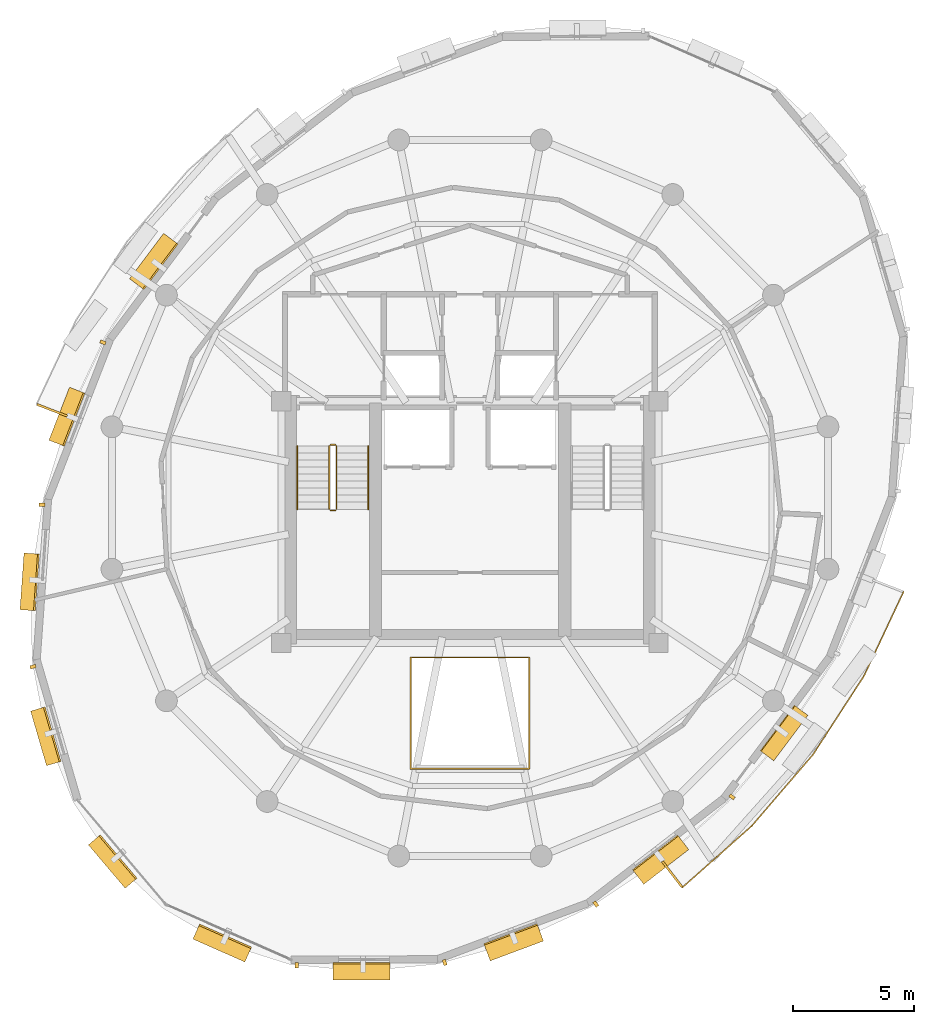
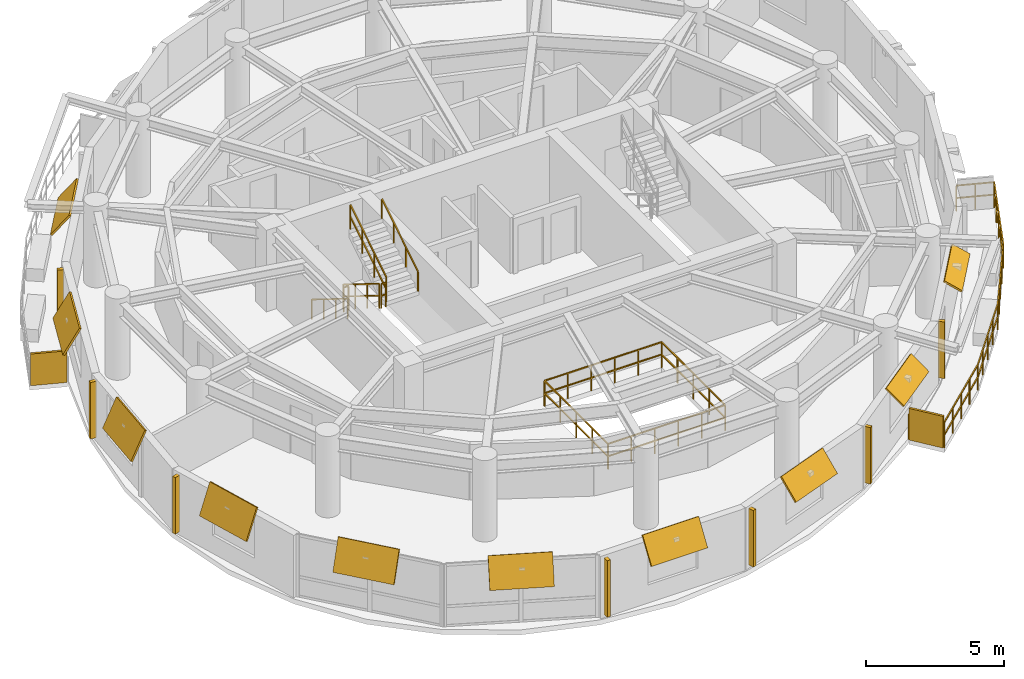
# One storey, part 10 of 11: 19 shading devices, 8 railings.
"""IFC4 building model written with IfcOpenShell, lengths in metres."""

from ifc_helpers import new_model, si_unit, direction, frame, origin, origin_2d, place, context, subcontext, project, spatial, rectangle, extrude, material, layer, layer_set, type_object, element, save


model = new_model("IFC4")

# Units and contexts
model_context = context("Model", 3, precision=1e-05, world=origin(), true_north=direction((0.0, 1.0)))
body_context = subcontext(model_context, "Body", "Model", "MODEL_VIEW")
ifc_project = project(units=[si_unit("LENGTHUNIT", "METRE"), si_unit("AREAUNIT", "SQUARE_METRE"), si_unit("VOLUMEUNIT", "CUBIC_METRE"), si_unit("PLANEANGLEUNIT", "RADIAN"), si_unit("MASSUNIT", "GRAM", prefix="KILO"), si_unit("THERMODYNAMICTEMPERATUREUNIT", "KELVIN"), si_unit("POWERUNIT", "WATT")], contexts=[model_context])

# Site, building, storey
site_placement = place(None, origin())
site = spatial("IfcSite", under=ifc_project, at=site_placement, CompositionType="ELEMENT")
building_placement = place(site_placement, origin())
building = spatial("IfcBuilding", under=site, at=building_placement, Name="Ocrelia Relay Tower", CompositionType="ELEMENT")
storey_placement = place(building_placement, frame((0.0, 0.0, 252.0)))
storey = spatial("IfcBuildingStorey", under=building, at=storey_placement, Name="L62", CompositionType="ELEMENT", Elevation=252.0)

# Railings
ifc_material_1 = material(Name="Steel S355 balustrade", Category="steel")
railing_type_1 = type_object("IfcRailingType", Name="RL-EXT-GUARD-1150", PredefinedType="GUARDRAIL", material=ifc_material_1)
railing_1_placement = place(storey_placement, frame((50.63623046875, 22.619873046875, 0.0)))
element("IfcRailing", 1, at=railing_1_placement, inside=storey, type_object=railing_type_1, Name="L62 Loggia Balcony Guard Rail B2", PredefinedType="GUARDRAIL", context=body_context, shape_type="SweptSolid", body=[
    extrude(rectangle(XDim=0.048095703125, YDim=0.048095703125, at=origin_2d()), frame((0.0, 0.0, 1.1259765625), z_axis=(0.932857026467, -0.36024681563, 0.0), x_axis=(0.36024681563, 0.932857026467, 0.0)), (0.0, 0.0, 1.0), 1.393310546875),
    extrude(rectangle(XDim=0.048095703125, YDim=0.048095703125, at=origin_2d()), frame((0.0, 0.0, 0.574951171875), z_axis=(0.932857026467, -0.36024681563, 0.0), x_axis=(0.36024681563, 0.932857026467, 0.0)), (0.0, 0.0, 1.0), 1.393310546875),
    extrude(rectangle(XDim=0.048095703125, YDim=0.048095703125, at=origin_2d()), frame((1.2998046875, -0.501953125, 1.1259765625), z_axis=(-0.425062311451, -0.905164090861, 0.0), x_axis=(0.905164090861, -0.425062311451, 0.0)), (0.0, 0.0, 1.0), 1.920654296875),
    extrude(rectangle(XDim=0.048095703125, YDim=0.048095703125, at=origin_2d()), frame((1.2998046875, -0.501953125, 0.574951171875), z_axis=(-0.425062311451, -0.905164090861, 0.0), x_axis=(0.905164090861, -0.425062311451, 0.0)), (0.0, 0.0, 1.0), 1.920654296875),
    extrude(rectangle(XDim=0.048095703125, YDim=0.048095703125, at=origin_2d()), frame((0.4833984375, -2.240478515625, 1.1259765625), z_axis=(-0.425166448619, -0.905115181051, 0.0), x_axis=(0.905115181051, -0.425166448619, 0.0)), (0.0, 0.0, 1.0), 1.9208984375),
    extrude(rectangle(XDim=0.048095703125, YDim=0.048095703125, at=origin_2d()), frame((0.4833984375, -2.240478515625, 0.574951171875), z_axis=(-0.425166448619, -0.905115181051, 0.0), x_axis=(0.905115181051, -0.425166448619, 0.0)), (0.0, 0.0, 1.0), 1.9208984375),
    extrude(rectangle(XDim=0.048095703125, YDim=0.048095703125, at=origin_2d()), frame((-0.333251953125, -3.97900390625, 1.1259765625), z_axis=(-0.543929077766, -0.83913119258, 0.0), x_axis=(0.83913119258, -0.543929077766, 0.0)), (0.0, 0.0, 1.0), 3.882080078125),
    extrude(rectangle(XDim=0.048095703125, YDim=0.048095703125, at=origin_2d()), frame((-0.333251953125, -3.97900390625, 0.574951171875), z_axis=(-0.543929077766, -0.83913119258, 0.0), x_axis=(0.83913119258, -0.543929077766, 0.0)), (0.0, 0.0, 1.0), 3.882080078125),
    extrude(rectangle(XDim=0.048095703125, YDim=0.048095703125, at=origin_2d()), frame((-2.44482421875, -7.236572265625, 1.1259765625), z_axis=(-0.651386810566, -0.758745822407, 0.0), x_axis=(0.758745822407, -0.651386810566, 0.0)), (0.0, 0.0, 1.0), 3.8818359375),
    extrude(rectangle(XDim=0.048095703125, YDim=0.048095703125, at=origin_2d()), frame((-2.44482421875, -7.236572265625, 0.574951171875), z_axis=(-0.651386810566, -0.758745822407, 0.0), x_axis=(0.758745822407, -0.651386810566, 0.0)), (0.0, 0.0, 1.0), 3.8818359375),
    extrude(rectangle(XDim=0.048095703125, YDim=0.048095703125, at=origin_2d()), frame((-4.973388671875, -10.181884765625, 1.1259765625), z_axis=(-0.748285275523, -0.663377077111, 0.0), x_axis=(0.663377077111, -0.748285275523, 0.0)), (0.0, 0.0, 1.0), 1.920654296875),
    extrude(rectangle(XDim=0.048095703125, YDim=0.048095703125, at=origin_2d()), frame((-4.973388671875, -10.181884765625, 0.574951171875), z_axis=(-0.748285275523, -0.663377077111, 0.0), x_axis=(0.663377077111, -0.748285275523, 0.0)), (0.0, 0.0, 1.0), 1.920654296875),
    extrude(rectangle(XDim=0.048095703125, YDim=0.048095703125, at=origin_2d()), frame((-6.41064453125, -11.4560546875, 1.1259765625), z_axis=(-0.748285275523, -0.663377077111, 0.0), x_axis=(0.663377077111, -0.748285275523, 0.0)), (0.0, 0.0, 1.0), 1.920654296875),
    extrude(rectangle(XDim=0.048095703125, YDim=0.048095703125, at=origin_2d()), frame((-6.41064453125, -11.4560546875, 0.574951171875), z_axis=(-0.748285275523, -0.663377077111, 0.0), x_axis=(0.663377077111, -0.748285275523, 0.0)), (0.0, 0.0, 1.0), 1.920654296875),
    extrude(rectangle(XDim=0.048095703125, YDim=0.048095703125, at=origin_2d()), frame((-7.847900390625, -12.730224609375, 1.1259765625), z_axis=(-0.609016215981, 0.793157770353, 0.0), x_axis=(-0.793157770353, -0.609016215981, 0.0)), (0.0, 0.0, 1.0), 1.3935546875),
    extrude(rectangle(XDim=0.048095703125, YDim=0.048095703125, at=origin_2d()), frame((-7.847900390625, -12.730224609375, 0.574951171875), z_axis=(-0.609016215981, 0.793157770353, 0.0), x_axis=(-0.793157770353, -0.609016215981, 0.0)), (0.0, 0.0, 1.0), 1.3935546875),
    extrude(rectangle(XDim=0.0419921875, YDim=0.0419921875, at=origin_2d()), origin(), (0.0, 0.0, 1.0), 1.101806640625),
    extrude(rectangle(XDim=0.0419921875, YDim=0.0419921875, at=origin_2d()), frame((0.64990234375, -0.2509765625, 0.0)), (0.0, 0.0, 1.0), 1.101806640625),
    extrude(rectangle(XDim=0.0419921875, YDim=0.0419921875, at=origin_2d()), frame((1.2998046875, -0.501953125, 0.0)), (0.0, 0.0, 1.0), 1.101806640625),
    extrude(rectangle(XDim=0.0419921875, YDim=0.0419921875, at=origin_2d()), frame((0.8916015625, -1.37109375, 0.0)), (0.0, 0.0, 1.0), 1.101806640625),
    extrude(rectangle(XDim=0.0419921875, YDim=0.0419921875, at=origin_2d()), frame((0.4833984375, -2.240478515625, 0.0)), (0.0, 0.0, 1.0), 1.101806640625),
    extrude(rectangle(XDim=0.0419921875, YDim=0.0419921875, at=origin_2d()), frame((0.0751953125, -3.10986328125, 0.0)), (0.0, 0.0, 1.0), 1.101806640625),
    extrude(rectangle(XDim=0.0419921875, YDim=0.0419921875, at=origin_2d()), frame((-0.333251953125, -3.97900390625, 0.0)), (0.0, 0.0, 1.0), 1.101806640625),
    extrude(rectangle(XDim=0.0419921875, YDim=0.0419921875, at=origin_2d()), frame((-0.861083984375, -4.79345703125, 0.0)), (0.0, 0.0, 1.0), 1.101806640625),
    extrude(rectangle(XDim=0.0419921875, YDim=0.0419921875, at=origin_2d()), frame((-1.38916015625, -5.60791015625, 0.0)), (0.0, 0.0, 1.0), 1.101806640625),
    extrude(rectangle(XDim=0.0419921875, YDim=0.0419921875, at=origin_2d()), frame((-1.9169921875, -6.422119140625, 0.0)), (0.0, 0.0, 1.0), 1.101806640625),
    extrude(rectangle(XDim=0.0419921875, YDim=0.0419921875, at=origin_2d()), frame((-2.44482421875, -7.236572265625, 0.0)), (0.0, 0.0, 1.0), 1.101806640625),
    extrude(rectangle(XDim=0.0419921875, YDim=0.0419921875, at=origin_2d()), frame((-3.076904296875, -7.972900390625, 0.0)), (0.0, 0.0, 1.0), 1.101806640625),
    extrude(rectangle(XDim=0.0419921875, YDim=0.0419921875, at=origin_2d()), frame((-3.708984375, -8.709228515625, 0.0)), (0.0, 0.0, 1.0), 1.101806640625),
    extrude(rectangle(XDim=0.0419921875, YDim=0.0419921875, at=origin_2d()), frame((-4.34130859375, -9.445556640625, 0.0)), (0.0, 0.0, 1.0), 1.101806640625),
    extrude(rectangle(XDim=0.0419921875, YDim=0.0419921875, at=origin_2d()), frame((-4.973388671875, -10.181884765625, 0.0)), (0.0, 0.0, 1.0), 1.101806640625),
    extrude(rectangle(XDim=0.0419921875, YDim=0.0419921875, at=origin_2d()), frame((-5.69189453125, -10.81884765625, 0.0)), (0.0, 0.0, 1.0), 1.101806640625),
    extrude(rectangle(XDim=0.0419921875, YDim=0.0419921875, at=origin_2d()), frame((-6.41064453125, -11.4560546875, 0.0)), (0.0, 0.0, 1.0), 1.101806640625),
    extrude(rectangle(XDim=0.0419921875, YDim=0.0419921875, at=origin_2d()), frame((-7.12939453125, -12.09326171875, 0.0)), (0.0, 0.0, 1.0), 1.101806640625),
    extrude(rectangle(XDim=0.0419921875, YDim=0.0419921875, at=origin_2d()), frame((-7.847900390625, -12.730224609375, 0.0)), (0.0, 0.0, 1.0), 1.101806640625),
    extrude(rectangle(XDim=0.0419921875, YDim=0.0419921875, at=origin_2d()), frame((-8.272216796875, -12.177734375, 0.0)), (0.0, 0.0, 1.0), 1.101806640625),
    extrude(rectangle(XDim=0.0419921875, YDim=0.0419921875, at=origin_2d()), frame((-8.696533203125, -11.625, 0.0)), (0.0, 0.0, 1.0), 1.101806640625),
])
ifc_material_2 = material(Name="Steel S355 atrium balustrade", Category="steel")
railing_type_2 = type_object("IfcRailingType", Name="RL-INT-GUARD-115", PredefinedType="GUARDRAIL", material=ifc_material_2)
railing_2_placement = place(storey_placement, frame((31.550048828125, 14.800048828125, 0.0)))
element("IfcRailing", 2, at=railing_2_placement, inside=storey, type_object=railing_type_2, Name="L62 Multi-Zone Interior Atrium Guard", PredefinedType="GUARDRAIL", context=body_context, shape_type="SweptSolid", body=[
    extrude(rectangle(XDim=0.048095703125, YDim=0.048095703125, at=origin_2d()), frame((0.0, 0.0, 1.1259765625), z_axis=(1.0, 0.0, 0.0), x_axis=(0.0, 1.0, 0.0)), (0.0, 0.0, 1.0), 4.89990234375),
    extrude(rectangle(XDim=0.048095703125, YDim=0.048095703125, at=origin_2d()), frame((0.0, 0.0, 0.574951171875), z_axis=(1.0, 0.0, 0.0), x_axis=(0.0, 1.0, 0.0)), (0.0, 0.0, 1.0), 4.89990234375),
    extrude(rectangle(XDim=0.048095703125, YDim=0.048095703125, at=origin_2d()), frame((4.89990234375, 0.0, 1.1259765625), z_axis=(0.0, 1.0, 0.0), x_axis=(-1.0, 0.0, 0.0)), (0.0, 0.0, 1.0), 4.599853515625),
    extrude(rectangle(XDim=0.048095703125, YDim=0.048095703125, at=origin_2d()), frame((4.89990234375, 0.0, 0.574951171875), z_axis=(0.0, 1.0, 0.0), x_axis=(-1.0, 0.0, 0.0)), (0.0, 0.0, 1.0), 4.599853515625),
    extrude(rectangle(XDim=0.048095703125, YDim=0.048095703125, at=origin_2d()), frame((4.89990234375, 4.599853515625, 1.1259765625), z_axis=(-1.0, 0.0, 0.0), x_axis=(0.0, -1.0, 0.0)), (0.0, 0.0, 1.0), 4.89990234375),
    extrude(rectangle(XDim=0.048095703125, YDim=0.048095703125, at=origin_2d()), frame((4.89990234375, 4.599853515625, 0.574951171875), z_axis=(-1.0, 0.0, 0.0), x_axis=(0.0, -1.0, 0.0)), (0.0, 0.0, 1.0), 4.89990234375),
    extrude(rectangle(XDim=0.048095703125, YDim=0.048095703125, at=origin_2d()), frame((0.0, 4.599853515625, 1.1259765625), z_axis=(0.0, -1.0, 0.0), x_axis=(1.0, 0.0, 0.0)), (0.0, 0.0, 1.0), 4.599853515625),
    extrude(rectangle(XDim=0.048095703125, YDim=0.048095703125, at=origin_2d()), frame((0.0, 4.599853515625, 0.574951171875), z_axis=(0.0, -1.0, 0.0), x_axis=(1.0, 0.0, 0.0)), (0.0, 0.0, 1.0), 4.599853515625),
    extrude(rectangle(XDim=0.0419921875, YDim=0.0419921875, at=origin_2d()), origin(), (0.0, 0.0, 1.0), 1.101806640625),
    extrude(rectangle(XDim=0.0419921875, YDim=0.0419921875, at=origin_2d()), frame((0.97998046875, 0.0, 0.0)), (0.0, 0.0, 1.0), 1.101806640625),
    extrude(rectangle(XDim=0.0419921875, YDim=0.0419921875, at=origin_2d()), frame((1.9599609375, 0.0, 0.0)), (0.0, 0.0, 1.0), 1.101806640625),
    extrude(rectangle(XDim=0.0419921875, YDim=0.0419921875, at=origin_2d()), frame((2.93994140625, 0.0, 0.0)), (0.0, 0.0, 1.0), 1.101806640625),
    extrude(rectangle(XDim=0.0419921875, YDim=0.0419921875, at=origin_2d()), frame((3.919921875, 0.0, 0.0)), (0.0, 0.0, 1.0), 1.101806640625),
    extrude(rectangle(XDim=0.0419921875, YDim=0.0419921875, at=origin_2d()), frame((4.89990234375, 0.0, 0.0)), (0.0, 0.0, 1.0), 1.101806640625),
    extrude(rectangle(XDim=0.0419921875, YDim=0.0419921875, at=origin_2d()), frame((4.89990234375, 1.14990234375, 0.0)), (0.0, 0.0, 1.0), 1.101806640625),
    extrude(rectangle(XDim=0.0419921875, YDim=0.0419921875, at=origin_2d()), frame((4.89990234375, 2.2998046875, 0.0)), (0.0, 0.0, 1.0), 1.101806640625),
    extrude(rectangle(XDim=0.0419921875, YDim=0.0419921875, at=origin_2d()), frame((4.89990234375, 3.449951171875, 0.0)), (0.0, 0.0, 1.0), 1.101806640625),
    extrude(rectangle(XDim=0.0419921875, YDim=0.0419921875, at=origin_2d()), frame((4.89990234375, 4.599853515625, 0.0)), (0.0, 0.0, 1.0), 1.101806640625),
    extrude(rectangle(XDim=0.0419921875, YDim=0.0419921875, at=origin_2d()), frame((3.919921875, 4.599853515625, 0.0)), (0.0, 0.0, 1.0), 1.101806640625),
    extrude(rectangle(XDim=0.0419921875, YDim=0.0419921875, at=origin_2d()), frame((2.93994140625, 4.599853515625, 0.0)), (0.0, 0.0, 1.0), 1.101806640625),
    extrude(rectangle(XDim=0.0419921875, YDim=0.0419921875, at=origin_2d()), frame((1.9599609375, 4.599853515625, 0.0)), (0.0, 0.0, 1.0), 1.101806640625),
    extrude(rectangle(XDim=0.0419921875, YDim=0.0419921875, at=origin_2d()), frame((0.97998046875, 4.599853515625, 0.0)), (0.0, 0.0, 1.0), 1.101806640625),
    extrude(rectangle(XDim=0.0419921875, YDim=0.0419921875, at=origin_2d()), frame((0.0, 4.599853515625, 0.0)), (0.0, 0.0, 1.0), 1.101806640625),
    extrude(rectangle(XDim=0.0419921875, YDim=0.0419921875, at=origin_2d()), frame((0.0, 3.449951171875, 0.0)), (0.0, 0.0, 1.0), 1.101806640625),
    extrude(rectangle(XDim=0.0419921875, YDim=0.0419921875, at=origin_2d()), frame((0.0, 2.2998046875, 0.0)), (0.0, 0.0, 1.0), 1.101806640625),
    extrude(rectangle(XDim=0.0419921875, YDim=0.0419921875, at=origin_2d()), frame((0.0, 1.14990234375, 0.0)), (0.0, 0.0, 1.0), 1.101806640625),
])
railing_type_3 = type_object("IfcRailingType", Name="RL-STAIR-GUARD", PredefinedType="GUARDRAIL", material=ifc_material_1)
railing_3_placement = place(storey_placement, frame((28.179931640625, 28.14990234375, 0.179931640625)))
element("IfcRailing", 3, at=railing_3_placement, inside=storey, type_object=railing_type_3, Name="L62 ST1 stair guard 1", PredefinedType="GUARDRAIL", context=body_context, shape_type="SweptSolid", body=[
    extrude(rectangle(XDim=0.048095703125, YDim=0.048095703125, at=origin_2d()), frame((0.0, 0.0, 1.076171875), z_axis=(0.0, -0.849610693518, 0.52741034258), x_axis=(1.0, 0.0, 0.0)), (0.0, 0.0, 1.0), 3.07177734375),
    extrude(rectangle(XDim=0.048095703125, YDim=0.048095703125, at=origin_2d()), frame((0.0, 0.0, 0.550048828125), z_axis=(0.0, -0.849610693518, 0.52741034258), x_axis=(1.0, 0.0, 0.0)), (0.0, 0.0, 1.0), 3.07177734375),
    extrude(rectangle(XDim=0.0419921875, YDim=0.0419921875, at=origin_2d()), origin(), (0.0, 0.0, 1.0), 1.052001953125),
    extrude(rectangle(XDim=0.0419921875, YDim=0.0419921875, at=origin_2d()), frame((0.0, -0.869873046875, 0.5400390625)), (0.0, 0.0, 1.0), 1.052001953125),
    extrude(rectangle(XDim=0.0419921875, YDim=0.0419921875, at=origin_2d()), frame((0.0, -1.739990234375, 1.080078125)), (0.0, 0.0, 1.0), 1.052001953125),
    extrude(rectangle(XDim=0.0419921875, YDim=0.0419921875, at=origin_2d()), frame((0.0, -2.60986328125, 1.6201171875)), (0.0, 0.0, 1.0), 1.052001953125),
])
railing_4_placement = place(storey_placement, frame((28.22998046875, 25.489990234375, 1.800048828125)))
element("IfcRailing", 4, at=railing_4_placement, inside=storey, type_object=railing_type_3, Name="L62 ST1 stair guard 2", PredefinedType="GUARDRAIL", context=body_context, shape_type="SweptSolid", body=[
    extrude(rectangle(XDim=0.048095703125, YDim=0.048095703125, at=origin_2d()), frame((0.0, 0.0, 1.076171875), z_axis=(1.0, 0.0, 0.0), x_axis=(0.0, 1.0, 0.0)), (0.0, 0.0, 1.0), 0.199951171875),
    extrude(rectangle(XDim=0.048095703125, YDim=0.048095703125, at=origin_2d()), frame((0.0, 0.0, 0.550048828125), z_axis=(1.0, 0.0, 0.0), x_axis=(0.0, 1.0, 0.0)), (0.0, 0.0, 1.0), 0.199951171875),
    extrude(rectangle(XDim=0.0419921875, YDim=0.0419921875, at=origin_2d()), origin(), (0.0, 0.0, 1.0), 1.052001953125),
    extrude(rectangle(XDim=0.0419921875, YDim=0.0419921875, at=origin_2d()), frame((0.199951171875, 0.0, 0.0)), (0.0, 0.0, 1.0), 1.052001953125),
])
railing_5_placement = place(storey_placement, frame((28.47998046875, 25.5400390625, 1.97998046875)))
element("IfcRailing", 5, at=railing_5_placement, inside=storey, type_object=railing_type_3, Name="L62 ST1 stair guard 3", PredefinedType="GUARDRAIL", context=body_context, shape_type="SweptSolid", body=[
    extrude(rectangle(XDim=0.048095703125, YDim=0.048095703125, at=origin_2d()), frame((0.0, 0.0, 1.076171875), z_axis=(0.0, 0.849610693518, 0.52741034258), x_axis=(-1.0, 0.0, 0.0)), (0.0, 0.0, 1.0), 3.07177734375),
    extrude(rectangle(XDim=0.048095703125, YDim=0.048095703125, at=origin_2d()), frame((0.0, 0.0, 0.550048828125), z_axis=(0.0, 0.849610693518, 0.52741034258), x_axis=(-1.0, 0.0, 0.0)), (0.0, 0.0, 1.0), 3.07177734375),
    extrude(rectangle(XDim=0.0419921875, YDim=0.0419921875, at=origin_2d()), origin(), (0.0, 0.0, 1.0), 1.052001953125),
    extrude(rectangle(XDim=0.0419921875, YDim=0.0419921875, at=origin_2d()), frame((0.0, 0.869873046875, 0.5400390625)), (0.0, 0.0, 1.0), 1.052001953125),
    extrude(rectangle(XDim=0.0419921875, YDim=0.0419921875, at=origin_2d()), frame((0.0, 1.739990234375, 1.080078125)), (0.0, 0.0, 1.0), 1.052001953125),
    extrude(rectangle(XDim=0.0419921875, YDim=0.0419921875, at=origin_2d()), frame((0.0, 2.60986328125, 1.6201171875)), (0.0, 0.0, 1.0), 1.052001953125),
])
railing_6_placement = place(storey_placement, frame((28.22998046875, 28.199951171875, 0.0)))
element("IfcRailing", 6, at=railing_6_placement, inside=storey, type_object=railing_type_3, Name="L62 ST1 stair guard 4", PredefinedType="GUARDRAIL", context=body_context, shape_type="SweptSolid", body=[
    extrude(rectangle(XDim=0.048095703125, YDim=0.048095703125, at=origin_2d()), frame((0.0, 0.0, 1.076171875), z_axis=(1.0, 0.0, 0.0), x_axis=(0.0, 1.0, 0.0)), (0.0, 0.0, 1.0), 0.199951171875),
    extrude(rectangle(XDim=0.048095703125, YDim=0.048095703125, at=origin_2d()), frame((0.0, 0.0, 0.550048828125), z_axis=(1.0, 0.0, 0.0), x_axis=(0.0, 1.0, 0.0)), (0.0, 0.0, 1.0), 0.199951171875),
    extrude(rectangle(XDim=0.0419921875, YDim=0.0419921875, at=origin_2d()), origin(), (0.0, 0.0, 1.0), 1.052001953125),
    extrude(rectangle(XDim=0.0419921875, YDim=0.0419921875, at=origin_2d()), frame((0.199951171875, 0.0, 0.0)), (0.0, 0.0, 1.0), 1.052001953125),
])
ifc_material_3 = material(Name="Steel S355 tubular handrail", Category="steel")
railing_type_4 = type_object("IfcRailingType", Name="RL-STAIR-HAND", PredefinedType="HANDRAIL", material=ifc_material_3)
railing_7_placement = place(storey_placement, frame((26.860107421875, 28.14990234375, 0.179931640625)))
element("IfcRailing", 7, at=railing_7_placement, inside=storey, type_object=railing_type_4, Name="L62 ST1 stair handrail 1", PredefinedType="HANDRAIL", context=body_context, shape_type="SweptSolid", body=[
    extrude(rectangle(XDim=0.048095703125, YDim=0.048095703125, at=origin_2d()), frame((0.0, 0.0, 0.8759765625), z_axis=(0.0, -0.849610693518, 0.52741034258), x_axis=(1.0, 0.0, 0.0)), (0.0, 0.0, 1.0), 3.07177734375),
    extrude(rectangle(XDim=0.0419921875, YDim=0.0419921875, at=origin_2d()), origin(), (0.0, 0.0, 1.0), 0.851806640625),
    extrude(rectangle(XDim=0.0419921875, YDim=0.0419921875, at=origin_2d()), frame((0.0, -0.869873046875, 0.5400390625)), (0.0, 0.0, 1.0), 0.851806640625),
    extrude(rectangle(XDim=0.0419921875, YDim=0.0419921875, at=origin_2d()), frame((0.0, -1.739990234375, 1.080078125)), (0.0, 0.0, 1.0), 0.851806640625),
    extrude(rectangle(XDim=0.0419921875, YDim=0.0419921875, at=origin_2d()), frame((0.0, -2.60986328125, 1.6201171875)), (0.0, 0.0, 1.0), 0.851806640625),
])
railing_8_placement = place(storey_placement, frame((29.800048828125, 25.5400390625, 1.97998046875)))
element("IfcRailing", 8, at=railing_8_placement, inside=storey, type_object=railing_type_4, Name="L62 ST1 stair handrail 2", PredefinedType="HANDRAIL", context=body_context, shape_type="SweptSolid", body=[
    extrude(rectangle(XDim=0.048095703125, YDim=0.048095703125, at=origin_2d()), frame((0.0, 0.0, 0.8759765625), z_axis=(0.0, 0.849610693518, 0.52741034258), x_axis=(-1.0, 0.0, 0.0)), (0.0, 0.0, 1.0), 3.07177734375),
    extrude(rectangle(XDim=0.0419921875, YDim=0.0419921875, at=origin_2d()), origin(), (0.0, 0.0, 1.0), 0.851806640625),
    extrude(rectangle(XDim=0.0419921875, YDim=0.0419921875, at=origin_2d()), frame((0.0, 0.869873046875, 0.5400390625)), (0.0, 0.0, 1.0), 0.851806640625),
    extrude(rectangle(XDim=0.0419921875, YDim=0.0419921875, at=origin_2d()), frame((0.0, 1.739990234375, 1.080078125)), (0.0, 0.0, 1.0), 0.851806640625),
    extrude(rectangle(XDim=0.0419921875, YDim=0.0419921875, at=origin_2d()), frame((0.0, 2.60986328125, 1.6201171875)), (0.0, 0.0, 1.0), 0.851806640625),
])

# Shading devices
ifc_material_4 = material(Name="Perforated oxide terracotta solar screen", Category="masonry")
ifc_layer_1 = layer(ifc_material_4, 0.090087890625, Name="Perforated oxide terracotta solar screen")
ifc_layer_set_1 = layer_set([ifc_layer_1], Name="Perforated oxide terracotta solar screen")
shading_device_type_1 = type_object("IfcShadingDeviceType", Name="SH-BALC-SCREEN", PredefinedType="USERDEFINED", material=ifc_layer_set_1)
for number, where, z_axis, x_axis, name in (
    (9, (16.7138671875, 29.631103515625, 0.0), (0.0, 0.0, 1.0), (-0.932821162297, 0.360339671937, 0.0), "L62 Balcony Perforated Terracotta Screen B1-2"),
    (10, (42.364013671875, 10.4423828125, 0.0), (0.0, 0.0, 1.0), (0.609009932909, -0.793162594692, 0.0), "L62 Balcony Perforated Terracotta Screen B2-1"),
):
    element("IfcShadingDevice", number, at=place(storey_placement, frame(where, z_axis=z_axis, x_axis=x_axis)), inside=storey, type_object=shading_device_type_1, Name=name, ObjectType="SCREEN", PredefinedType="USERDEFINED", context=body_context, shape_type="SweptSolid", body=[
        extrude(rectangle(XDim=1.340087890625, YDim=0.090087890625, at=origin_2d()), origin(), (0.0, 0.0, 1.0), 1.39990234375),
    ])
ifc_material_5 = material(Name="Extruded oxide terracotta vertical baguette", Category="masonry")
shading_device_type_2 = type_object("IfcShadingDeviceType", Name="SH-TERR-BAGUETTE", PredefinedType="USERDEFINED", material=ifc_material_5)
for number, where, z_axis, x_axis, name in (
    (11, (18.818603515625, 32.437255859375, 0.1298828125), (0.0, 0.0, 1.0), (-0.361772688722, -0.932266336244, 0.0), "L62 Oxide Terracotta Vertical Baguette 06"),
    (12, (16.29931640625, 25.72119140625, 0.1298828125), (0.0, 0.0, 1.0), (-0.070553826579, -0.99750797368, 0.0), "L62 Oxide Terracotta Vertical Baguette 07"),
    (13, (15.923095703125, 19.023193359375, 0.1298828125), (0.0, 0.0, 1.0), (0.279289166146, -0.960207041046, 0.0), "L62 Oxide Terracotta Vertical Baguette 08"),
    (14, (26.8291015625, 6.6708984375, 0.1298828125), (0.0, 0.0, 1.0), (0.999994931516, 0.003183856636, 0.0), "L62 Oxide Terracotta Vertical Baguette 11"),
    (15, (32.955322265625, 6.787841796875, 0.1298828125), (0.0, 0.0, 1.0), (0.937003588923, 0.349319730826, 0.0), "L62 Oxide Terracotta Vertical Baguette 12"),
    (16, (39.205322265625, 9.204345703125, 0.1298828125), (0.0, 0.0, 1.0), (0.792192230604, 0.610271636052, 0.0), "L62 Oxide Terracotta Vertical Baguette 13"),
    (17, (44.83935546875, 13.63671875, 0.1298828125), (0.0, 0.0, 1.0), (0.599023302125, 0.800731592677, 0.0), "L62 Oxide Terracotta Vertical Baguette 14"),
):
    element("IfcShadingDevice", number, at=place(storey_placement, frame(where, z_axis=z_axis, x_axis=x_axis)), inside=storey, type_object=shading_device_type_2, Name=name, ObjectType="BAGUETTE", PredefinedType="USERDEFINED", context=body_context, shape_type="SweptSolid", body=[
        extrude(rectangle(XDim=0.139892578125, YDim=0.239990234375, at=origin_2d()), origin(), (0.0, 0.0, 1.0), 2.5),
    ])
ifc_material_6 = material(Name="Extruded oxide terracotta fin", Category="masonry")
ifc_layer_2 = layer(ifc_material_6, 0.080078125, Name="Extruded oxide terracotta fin")
ifc_layer_set_2 = layer_set([ifc_layer_2], Name="Extruded oxide terracotta fin")
shading_device_type_3 = type_object("IfcShadingDeviceType", Name="SH-VISOR-FIN-DEEP", PredefinedType="USERDEFINED", material=ifc_layer_set_2)
shading_device_1_placement = place(storey_placement, frame((17.359375, 29.3505859375, 2.580810546875), z_axis=(-0.817890066021, 0.317388150532, 0.479917286421), x_axis=(-0.361772688722, -0.932266336244, 0.0)))
element("IfcShadingDevice", 18, at=shading_device_1_placement, inside=storey, type_object=shading_device_type_3, Name="L62 Canted Terracotta Sun-Visor Fin 06", ObjectType="FIN", PredefinedType="USERDEFINED", context=body_context, shape_type="SweptSolid", body=[
    extrude(rectangle(XDim=2.35009765625, YDim=1.27197265625, at=origin_2d()), origin(), (0.0, 0.0, 1.0), 0.080078125),
])
shading_device_2_placement = place(storey_placement, frame((15.822265625, 22.528564453125, 2.583251953125), z_axis=(-0.905952931152, 0.064078130381, 0.418501230277), x_axis=(-0.070553826579, -0.99750797368, 0.0)))
element("IfcShadingDevice", 19, at=shading_device_2_placement, inside=storey, type_object=shading_device_type_3, Name="L62 Canted Terracotta Sun-Visor Fin 07", ObjectType="FIN", PredefinedType="USERDEFINED", context=body_context, shape_type="SweptSolid", body=[
    extrude(rectangle(XDim=2.35009765625, YDim=1.337890625, at=origin_2d()), origin(), (0.0, 0.0, 1.0), 0.080078125),
])
shading_device_3_placement = place(storey_placement, frame((16.48974609375, 16.154541015625, 2.583740234375), z_axis=(-0.876714977668, -0.255004373634, 0.407852445573), x_axis=(0.279289166146, -0.960207041046, 0.0)))
element("IfcShadingDevice", 20, at=shading_device_3_placement, inside=storey, type_object=shading_device_type_3, Name="L62 Canted Terracotta Sun-Visor Fin 08", ObjectType="FIN", PredefinedType="USERDEFINED", context=body_context, shape_type="SweptSolid", body=[
    extrude(rectangle(XDim=2.35009765625, YDim=1.34912109375, at=origin_2d()), origin(), (0.0, 0.0, 1.0), 0.080078125),
])
shading_device_4_placement = place(storey_placement, frame((19.25048828125, 10.985595703125, 2.582763671875), z_axis=(-0.688796802456, -0.583050434077, 0.430826132274), x_axis=(0.646085828535, -0.763264765443, 0.0)))
element("IfcShadingDevice", 21, at=shading_device_4_placement, inside=storey, type_object=shading_device_type_3, Name="L62 Canted Terracotta Sun-Visor Fin 09", ObjectType="FIN", PredefinedType="USERDEFINED", context=body_context, shape_type="SweptSolid", body=[
    extrude(rectangle(XDim=2.35009765625, YDim=1.324951171875, at=origin_2d()), origin(), (0.0, 0.0, 1.0), 0.080078125),
])
shading_device_5_placement = place(storey_placement, frame((23.767333984375, 7.623046875, 2.5810546875), z_axis=(-0.355102214272, -0.80333248692, 0.478078793588), x_axis=(0.914627100885, -0.404298486673, 0.0)))
element("IfcShadingDevice", 22, at=shading_device_5_placement, inside=storey, type_object=shading_device_type_3, Name="L62 Canted Terracotta Sun-Visor Fin 10", ObjectType="FIN", PredefinedType="USERDEFINED", context=body_context, shape_type="SweptSolid", body=[
    extrude(rectangle(XDim=2.35009765625, YDim=1.27392578125, at=origin_2d()), origin(), (0.0, 0.0, 1.0), 0.080078125),
])
shading_device_6_placement = place(storey_placement, frame((29.508544921875, 6.4609375, 2.578125), z_axis=(0.002662615227, -0.836281917144, 0.54829322952), x_axis=(0.999994931516, 0.003183856636, 0.0)))
element("IfcShadingDevice", 23, at=shading_device_6_placement, inside=storey, type_object=shading_device_type_3, Name="L62 Canted Terracotta Sun-Visor Fin 11", ObjectType="FIN", PredefinedType="USERDEFINED", context=body_context, shape_type="SweptSolid", body=[
    extrude(rectangle(XDim=2.35009765625, YDim=1.196044921875, at=origin_2d()), origin(), (0.0, 0.0, 1.0), 0.080078125),
])
ifc_layer_3 = layer(ifc_material_6, 0.080078125, Name="Extruded oxide terracotta fin")
ifc_layer_set_3 = layer_set([ifc_layer_3], Name="Extruded oxide terracotta fin")
shading_device_type_4 = type_object("IfcShadingDeviceType", Name="SH-VISOR-FIN-MED", PredefinedType="USERDEFINED", material=ifc_layer_set_3)
shading_device_7_placement = place(storey_placement, frame((20.9462890625, 35.765380859375, 2.576171875), z_axis=(-0.642341014189, 0.480532102054, 0.597065256389), x_axis=(-0.599023302125, -0.800731592677, 0.0)))
element("IfcShadingDevice", 24, at=shading_device_7_placement, inside=storey, type_object=shading_device_type_4, Name="L62 Canted Terracotta Sun-Visor Fin 05", ObjectType="FIN", PredefinedType="USERDEFINED", context=body_context, shape_type="SweptSolid", body=[
    extrude(rectangle(XDim=2.35009765625, YDim=1.138916015625, at=origin_2d()), origin(), (0.0, 0.0, 1.0), 0.080078125),
])
shading_device_8_placement = place(storey_placement, frame((35.797119140625, 7.647705078125, 2.574462890625), z_axis=(0.267476833967, -0.717470933543, 0.643188621489), x_axis=(0.937003588923, 0.349319730826, 0.0)))
element("IfcShadingDevice", 25, at=shading_device_8_placement, inside=storey, type_object=shading_device_type_4, Name="L62 Canted Terracotta Sun-Visor Fin 12", ObjectType="FIN", PredefinedType="USERDEFINED", context=body_context, shape_type="SweptSolid", body=[
    extrude(rectangle(XDim=2.35009765625, YDim=1.0830078125, at=origin_2d()), origin(), (0.0, 0.0, 1.0), 0.080078125),
])
shading_device_9_placement = place(storey_placement, frame((41.87353515625, 11.06005859375, 2.56982421875), z_axis=(0.399005894648, -0.517948649474, 0.756652821672), x_axis=(0.792192230604, 0.610271636052, 0.0)))
element("IfcShadingDevice", 26, at=shading_device_9_placement, inside=storey, type_object=shading_device_type_4, Name="L62 Canted Terracotta Sun-Visor Fin 13", ObjectType="FIN", PredefinedType="USERDEFINED", context=body_context, shape_type="SweptSolid", body=[
    extrude(rectangle(XDim=2.35009765625, YDim=0.929931640625, at=origin_2d()), origin(), (0.0, 0.0, 1.0), 0.080078125),
])
ifc_layer_4 = layer(ifc_material_6, 0.080078125, Name="Extruded oxide terracotta fin")
ifc_layer_set_4 = layer_set([ifc_layer_4], Name="Extruded oxide terracotta fin")
shading_device_type_5 = type_object("IfcShadingDeviceType", Name="SH-VISOR-FIN-SHAL", PredefinedType="USERDEFINED", material=ifc_layer_set_4)
shading_device_10_placement = place(storey_placement, frame((46.978271484375, 16.291015625, 2.565673828125), z_axis=(0.408327072933, -0.30546744229, 0.860208488223), x_axis=(0.599023302125, 0.800731592677, 0.0)))
element("IfcShadingDevice", 27, at=shading_device_10_placement, inside=storey, type_object=shading_device_type_5, Name="L62 Canted Terracotta Sun-Visor Fin 14", ObjectType="FIN", PredefinedType="USERDEFINED", context=body_context, shape_type="SweptSolid", body=[
    extrude(rectangle(XDim=2.35009765625, YDim=0.760986328125, at=origin_2d()), origin(), (0.0, 0.0, 1.0), 0.080078125),
])

save(model, "model.ifc")
